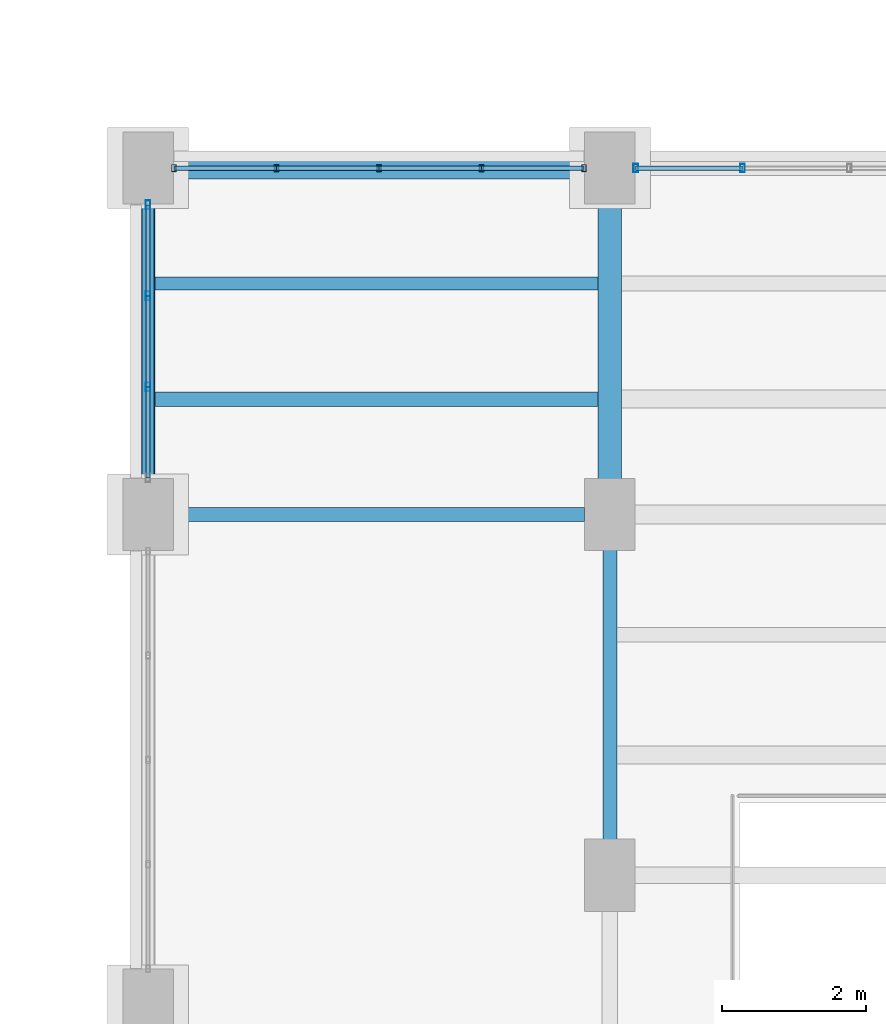
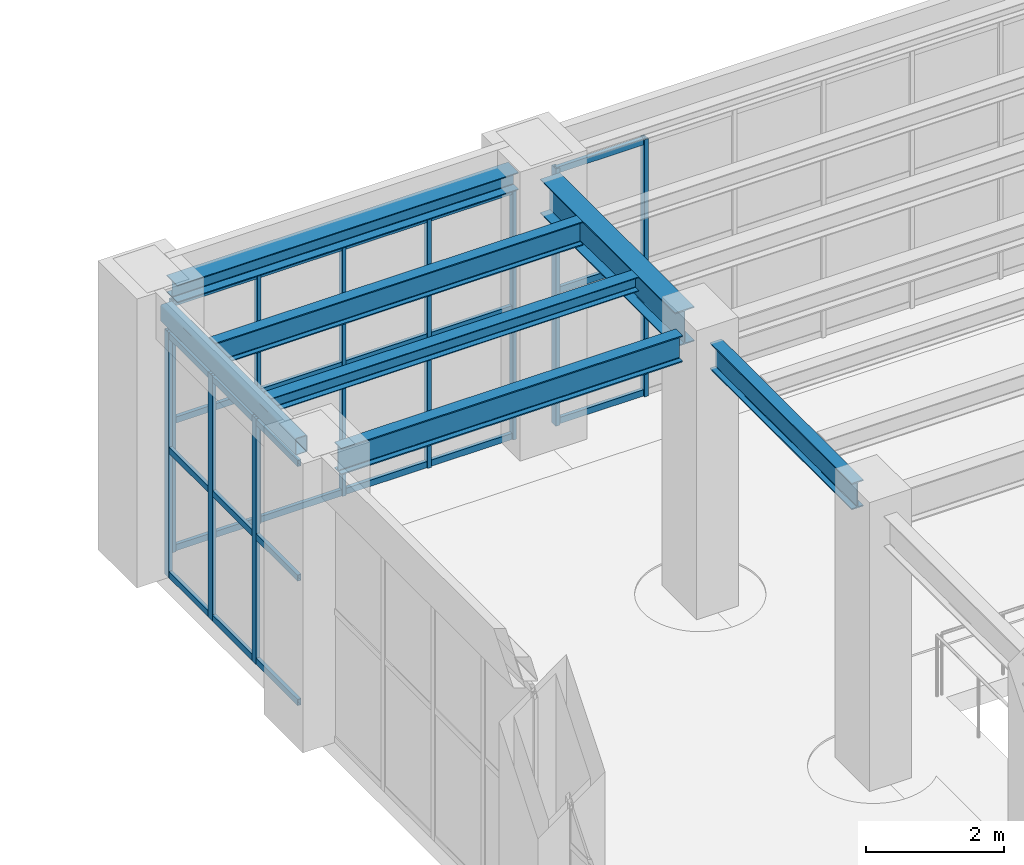
# One storey, part 87 of 174: 34 members, 7 beams, 3 elements without a shape of their own.
"""IFC4 building model written with IfcOpenShell, lengths in metres."""

from ifc_helpers import new_model, si_unit, direction, frame, origin, origin_2d, place, context, subcontext, project, spatial, hollow_rectangle, i_section, extrude, material, material_profile, profile_set, type_object, element, aggregate, save


model = new_model("IFC4")

# Units and contexts
model_context = context("Model", 3, precision=1e-05, world=origin(), true_north=direction((0.0, 1.0)))
body_context = subcontext(model_context, "Body", "Model", "MODEL_VIEW")
ifc_project = project(units=[si_unit("LENGTHUNIT", "METRE"), si_unit("AREAUNIT", "SQUARE_METRE"), si_unit("VOLUMEUNIT", "CUBIC_METRE"), si_unit("PLANEANGLEUNIT", "RADIAN"), si_unit("MASSUNIT", "GRAM", prefix="KILO")], contexts=[model_context])

# Site, building, storey
site_placement = place(None, origin())
site = spatial("IfcSite", under=ifc_project, at=site_placement, CompositionType="ELEMENT")
building_placement = place(site_placement, origin())
building = spatial("IfcBuilding", under=site, at=building_placement, Name="Mavantir Sound Aquarium", CompositionType="ELEMENT")
storey_placement = place(building_placement, frame((0.0, 0.0, 5.39990234375)))
storey = spatial("IfcBuildingStorey", under=building, at=storey_placement, Name="L01", CompositionType="ELEMENT", Elevation=5.39990234375)

# Beams
ifc_material_1 = material(Name="Hollow Structural Steel ASTM A500 GrC", Category="steel")
ifc_material_profile_1 = material_profile(ifc_material_1, hollow_rectangle(XDim=0.199951171875, YDim=0.300048828125, WallThickness=0.012451171875, InnerFilletRadius=0.012451171875, OuterFilletRadius=0.02490234375, at=origin_2d()), Name="RHS 300X200X12.5")
ifc_profile_set_1 = profile_set([ifc_material_profile_1], Name="Hollow Structural Steel ASTM A500 GrC")
beam_type_1 = type_object("IfcBeamType", Name="BM-RHS300-E", PredefinedType="SPANDREL", material=ifc_profile_set_1)
beam_1_placement = place(storey_placement, frame((101.60009765625, 91.25, 4.6259765625), z_axis=(0.0, 1.0, 0.0), x_axis=(-1.0, 0.0, 0.0)))
element("IfcBeam", 1, at=beam_1_placement, inside=storey, type_object=beam_type_1, Name="L01 primary girder SS-R30 1289", PredefinedType="SPANDREL", context=body_context, shape_type="SweptSolid", body=[
    extrude(hollow_rectangle(XDim=0.199951171875, YDim=0.300048828125, WallThickness=0.012451171875, InnerFilletRadius=0.012451171875, OuterFilletRadius=0.02490234375, at=origin_2d()), origin(), (0.0, 0.0, 1.0), 3.89990234375),
])
ifc_material_2 = material(Name="Structural Steel ASTM A992 Gr50", Category="steel")
ifc_material_profile_2 = material_profile(ifc_material_2, i_section(OverallWidth=0.202880859375, OverallDepth=0.251953125, WebThickness=0.008056640625, FlangeThickness=0.013427734375, FilletRadius=0.011962890625, at=origin_2d()), Name="W250X58")
ifc_profile_set_2 = profile_set([ifc_material_profile_2], Name="Structural Steel ASTM A992 Gr50")
beam_type_2 = type_object("IfcBeamType", Name="BM-W250X58-I", PredefinedType="JOIST", material=ifc_profile_set_2)
beam_2_placement = place(storey_placement, frame((101.699951171875, 92.39990234375, 4.650146484375), z_axis=(1.0, 0.0, 0.0), x_axis=(0.0, 1.0, 0.0)))
element("IfcBeam", 2, at=beam_2_placement, inside=storey, type_object=beam_type_2, Name="L01 secondary floor joist SJ-25 792", PredefinedType="JOIST", context=body_context, shape_type="SweptSolid", body=[
    extrude(i_section(OverallWidth=0.202880859375, OverallDepth=0.251953125, WebThickness=0.008056640625, FlangeThickness=0.013427734375, FilletRadius=0.011962890625, at=origin_2d()), origin(), (0.0, 0.0, 1.0), 6.137939453125),
])
ifc_material_profile_3 = material_profile(ifc_material_2, i_section(OverallWidth=0.304931640625, OverallDepth=0.30810546875, WebThickness=0.010009765625, FlangeThickness=0.015380859375, FilletRadius=0.014892578125, at=origin_2d()), Name="W310X97")
ifc_profile_set_3 = profile_set([ifc_material_profile_3], Name="Structural Steel ASTM A992 Gr50")
beam_type_3 = type_object("IfcBeamType", Name="BM-W310X97-E", PredefinedType="SPANDREL", material=ifc_profile_set_3)
beam_3_placement = place(storey_placement, frame((101.949951171875, 95.60009765625, 4.6220703125), z_axis=(1.0, 0.0, 0.0), x_axis=(0.0, 1.0, 0.0)))
element("IfcBeam", 3, at=beam_3_placement, inside=storey, type_object=beam_type_3, Name="L01 primary beam SS-31A 1281", PredefinedType="SPANDREL", context=body_context, shape_type="SweptSolid", body=[
    extrude(i_section(OverallWidth=0.304931640625, OverallDepth=0.30810546875, WebThickness=0.010009765625, FlangeThickness=0.015380859375, FilletRadius=0.014892578125, at=origin_2d()), origin(), (0.0, 0.0, 1.0), 5.699951171875),
])
ifc_material_profile_4 = material_profile(ifc_material_2, i_section(OverallWidth=0.180908203125, OverallDepth=0.4169921875, WebThickness=0.010986328125, FlangeThickness=0.018310546875, FilletRadius=0.014892578125, at=origin_2d()), Name="W410X85")
ifc_profile_set_4 = profile_set([ifc_material_profile_4], Name="Structural Steel ASTM A992 Gr50")
beam_type_4 = type_object("IfcBeamType", Name="BM-W410X85-I", PredefinedType="JOIST", material=ifc_profile_set_4)
beam_4_placement = place(storey_placement, frame((101.699951171875, 94.0, 4.567626953125), z_axis=(1.0, 0.0, 0.0), x_axis=(0.0, 1.0, 0.0)))
element("IfcBeam", 4, at=beam_4_placement, inside=storey, type_object=beam_type_4, Name="L01 secondary floor joist SJ-41 793", PredefinedType="JOIST", context=body_context, shape_type="SweptSolid", body=[
    extrude(i_section(OverallWidth=0.180908203125, OverallDepth=0.4169921875, WebThickness=0.010986328125, FlangeThickness=0.018310546875, FilletRadius=0.014892578125, at=origin_2d()), origin(), (0.0, 0.0, 1.0), 6.137939453125),
])
ifc_material_profile_5 = material_profile(ifc_material_2, i_section(OverallWidth=0.194091796875, OverallDepth=0.468994140625, WebThickness=0.0126953125, FlangeThickness=0.0205078125, FilletRadius=0.01611328125, at=origin_2d()), Name="W460X106")
ifc_profile_set_5 = profile_set([ifc_material_profile_5], Name="Structural Steel ASTM A992 Gr50")
beam_type_5 = type_object("IfcBeamType", Name="BM-W460X106-I", PredefinedType="BEAM", material=ifc_profile_set_5)
beam_5_placement = place(storey_placement, frame((101.949951171875, 90.800048828125, 4.54150390625), z_axis=(1.0, 0.0, 0.0), x_axis=(0.0, 1.0, 0.0)))
element("IfcBeam", 5, at=beam_5_placement, inside=storey, type_object=beam_type_5, Name="L01 primary beam SB-46 1279", PredefinedType="BEAM", context=body_context, shape_type="SweptSolid", body=[
    extrude(i_section(OverallWidth=0.194091796875, OverallDepth=0.468994140625, WebThickness=0.0126953125, FlangeThickness=0.0205078125, FilletRadius=0.01611328125, at=origin_2d()), origin(), (0.0, 0.0, 1.0), 5.699951171875),
])
beam_6_placement = place(storey_placement, frame((108.0, 86.25, 4.54150390625), z_axis=(0.0, 1.0, 0.0), x_axis=(-1.0, 0.0, 0.0)))
element("IfcBeam", 6, at=beam_6_placement, inside=storey, type_object=beam_type_5, Name="L01 primary girder SB-46 1299", PredefinedType="BEAM", context=body_context, shape_type="SweptSolid", body=[
    extrude(i_section(OverallWidth=0.194091796875, OverallDepth=0.468994140625, WebThickness=0.0126953125, FlangeThickness=0.0205078125, FilletRadius=0.01611328125, at=origin_2d()), origin(), (0.0, 0.0, 1.0), 4.10009765625),
])
ifc_material_profile_6 = material_profile(ifc_material_2, i_section(OverallWidth=0.323974609375, OverallDepth=0.611083984375, WebThickness=0.0126953125, FlangeThickness=0.01904296875, FilletRadius=0.01904296875, at=origin_2d()), Name="W610X155")
ifc_profile_set_6 = profile_set([ifc_material_profile_6], Name="Structural Steel ASTM A992 Gr50")
beam_type_6 = type_object("IfcBeamType", Name="BM-W610X155-I", PredefinedType="BEAM", material=ifc_profile_set_6)
beam_7_placement = place(storey_placement, frame((108.0, 91.25, 4.470703125), z_axis=(0.0, 1.0, 0.0), x_axis=(-1.0, 0.0, 0.0)))
element("IfcBeam", 7, at=beam_7_placement, inside=storey, type_object=beam_type_6, Name="L01 primary girder SB-61A 1300", PredefinedType="BEAM", context=body_context, shape_type="SweptSolid", body=[
    extrude(i_section(OverallWidth=0.323974609375, OverallDepth=0.611083984375, WebThickness=0.0126953125, FlangeThickness=0.01904296875, FilletRadius=0.01904296875, at=origin_2d()), origin(), (0.0, 0.0, 1.0), 3.89990234375),
])

# Curtain wall, members
ifc_material_3 = material(Name="Anodised Marine Aluminium and Low-E Glass", Category="aluminium")
curtain_wall_type_1 = type_object("IfcCurtainWallType", Name="CW-T17", PredefinedType="USERDEFINED", material=ifc_material_3)
curtain_wall_1_placement = place(storey_placement, origin())
curtain_wall_1 = element("IfcCurtainWall", 8, at=curtain_wall_1_placement, inside=storey, type_object=curtain_wall_type_1, Name="L01 unitised curtain wall CW-17 89", ObjectType="UNITISED GLAZING", PredefinedType="USERDEFINED")
ifc_material_4 = material(Name="Anodised Marine Aluminium 6063-T6", Category="aluminium")
ifc_material_profile_7 = material_profile(ifc_material_4, hollow_rectangle(XDim=0.06005859375, YDim=0.10009765625, WallThickness=0.00390625, at=origin_2d()), Name="ALU-MULLION-100X60")
ifc_profile_set_7 = profile_set([ifc_material_profile_7], Name="Anodised Marine Aluminium 6063-T6")
member_type_1 = type_object("IfcMemberType", Name="CW-MUL-100", PredefinedType="MULLION", material=ifc_profile_set_7)
member_1_placement = place(storey_placement, frame((107.64208984375, 95.60009765625, 0.0), z_axis=(0.0, 0.0, 1.0), x_axis=(1.0, 0.0, 0.0)))
member_1 = element("IfcMember", 9, at=member_1_placement, type_object=member_type_1, Name="CW-L01-089 vertical mullion 1", PredefinedType="MULLION", context=body_context, shape_type="SweptSolid", body=[
    extrude(hollow_rectangle(XDim=0.06005859375, YDim=0.10009765625, WallThickness=0.00390625, at=origin_2d()), origin(), (0.0, 0.0, 1.0), 4.43798828125),
])
member_2_placement = place(storey_placement, frame((106.220947265625, 95.60009765625, 0.0), z_axis=(0.0, 0.0, 1.0), x_axis=(1.0, 0.0, 0.0)))
member_2 = element("IfcMember", 10, at=member_2_placement, type_object=member_type_1, Name="CW-L01-089 vertical mullion 2", PredefinedType="MULLION", context=body_context, shape_type="SweptSolid", body=[
    extrude(hollow_rectangle(XDim=0.06005859375, YDim=0.10009765625, WallThickness=0.00390625, at=origin_2d()), origin(), (0.0, 0.0, 1.0), 4.43798828125),
])
member_3_placement = place(storey_placement, frame((104.800048828125, 95.60009765625, 0.0), z_axis=(0.0, 0.0, 1.0), x_axis=(1.0, 0.0, 0.0)))
member_3 = element("IfcMember", 11, at=member_3_placement, type_object=member_type_1, Name="CW-L01-089 vertical mullion 3", PredefinedType="MULLION", context=body_context, shape_type="SweptSolid", body=[
    extrude(hollow_rectangle(XDim=0.06005859375, YDim=0.10009765625, WallThickness=0.00390625, at=origin_2d()), origin(), (0.0, 0.0, 1.0), 4.43798828125),
])
member_4_placement = place(storey_placement, frame((103.37890625, 95.60009765625, 0.0), z_axis=(0.0, 0.0, 1.0), x_axis=(1.0, 0.0, 0.0)))
member_4 = element("IfcMember", 12, at=member_4_placement, type_object=member_type_1, Name="CW-L01-089 vertical mullion 4", PredefinedType="MULLION", context=body_context, shape_type="SweptSolid", body=[
    extrude(hollow_rectangle(XDim=0.06005859375, YDim=0.10009765625, WallThickness=0.00390625, at=origin_2d()), origin(), (0.0, 0.0, 1.0), 4.43798828125),
])
member_5_placement = place(storey_placement, frame((101.9580078125, 95.60009765625, 0.0), z_axis=(0.0, 0.0, 1.0), x_axis=(1.0, 0.0, 0.0)))
member_5 = element("IfcMember", 13, at=member_5_placement, type_object=member_type_1, Name="CW-L01-089 vertical mullion 5", PredefinedType="MULLION", context=body_context, shape_type="SweptSolid", body=[
    extrude(hollow_rectangle(XDim=0.06005859375, YDim=0.10009765625, WallThickness=0.00390625, at=origin_2d()), origin(), (0.0, 0.0, 1.0), 4.43798828125),
])

curtain_wall_type_2 = type_object("IfcCurtainWallType", Name="CW-T16", PredefinedType="USERDEFINED", material=ifc_material_3)
curtain_wall_2_placement = place(storey_placement, origin())
curtain_wall_2 = element("IfcCurtainWall", 14, at=curtain_wall_2_placement, inside=storey, type_object=curtain_wall_type_2, Name="L01 unitised curtain wall CW-16 88", ObjectType="UNITISED GLAZING", PredefinedType="USERDEFINED")
ifc_material_profile_8 = material_profile(ifc_material_4, hollow_rectangle(XDim=0.06494140625, YDim=0.1201171875, WallThickness=0.00390625, at=origin_2d()), Name="ALU-MULLION-120X65")
ifc_profile_set_8 = profile_set([ifc_material_profile_8], Name="Anodised Marine Aluminium 6063-T6")
member_type_2 = type_object("IfcMemberType", Name="CW-MUL-120", PredefinedType="MULLION", material=ifc_profile_set_8)
member_6_placement = place(storey_placement, frame((109.838623046875, 95.60009765625, 0.0), z_axis=(0.0, 0.0, 1.0), x_axis=(1.0, 0.0, 0.0)))
member_6 = element("IfcMember", 15, at=member_6_placement, type_object=member_type_2, Name="CW-L01-088 vertical mullion 6", PredefinedType="MULLION", context=body_context, shape_type="SweptSolid", body=[
    extrude(hollow_rectangle(XDim=0.06494140625, YDim=0.1201171875, WallThickness=0.00390625, at=origin_2d()), origin(), (0.0, 0.0, 1.0), 4.543212890625),
])
member_7_placement = place(storey_placement, frame((108.35791015625, 95.60009765625, 0.0), z_axis=(0.0, 0.0, 1.0), x_axis=(1.0, 0.0, 0.0)))
member_7 = element("IfcMember", 16, at=member_7_placement, type_object=member_type_2, Name="CW-L01-088 vertical mullion 7", PredefinedType="MULLION", context=body_context, shape_type="SweptSolid", body=[
    extrude(hollow_rectangle(XDim=0.06494140625, YDim=0.1201171875, WallThickness=0.00390625, at=origin_2d()), origin(), (0.0, 0.0, 1.0), 4.543212890625),
])

curtain_wall_type_3 = type_object("IfcCurtainWallType", Name="CW-T18", PredefinedType="USERDEFINED", material=ifc_material_3)
curtain_wall_3_placement = place(storey_placement, origin())
curtain_wall_3 = element("IfcCurtainWall", 17, at=curtain_wall_3_placement, inside=storey, type_object=curtain_wall_type_3, Name="L01 unitised curtain wall CW-18 90", ObjectType="UNITISED GLAZING", PredefinedType="USERDEFINED")
member_8_placement = place(storey_placement, frame((101.60009765625, 95.092041015625, 0.0), z_axis=(0.0, 0.0, 1.0), x_axis=(1.0, 0.0, 0.0)))
member_8 = element("IfcMember", 18, at=member_8_placement, type_object=member_type_2, Name="CW-L01-090 vertical mullion 1", PredefinedType="MULLION", context=body_context, shape_type="SweptSolid", body=[
    extrude(hollow_rectangle(XDim=0.06494140625, YDim=0.1201171875, WallThickness=0.00390625, at=origin_2d()), origin(), (0.0, 0.0, 1.0), 4.3291015625),
])
member_9_placement = place(storey_placement, frame((101.60009765625, 93.830810546875, 0.0), z_axis=(0.0, 0.0, 1.0), x_axis=(1.0, 0.0, 0.0)))
member_9 = element("IfcMember", 19, at=member_9_placement, type_object=member_type_2, Name="CW-L01-090 vertical mullion 2", PredefinedType="MULLION", context=body_context, shape_type="SweptSolid", body=[
    extrude(hollow_rectangle(XDim=0.06494140625, YDim=0.1201171875, WallThickness=0.00390625, at=origin_2d()), origin(), (0.0, 0.0, 1.0), 4.3291015625),
])
member_10_placement = place(storey_placement, frame((101.60009765625, 92.5693359375, 0.0), z_axis=(0.0, 0.0, 1.0), x_axis=(1.0, 0.0, 0.0)))
member_10 = element("IfcMember", 20, at=member_10_placement, type_object=member_type_2, Name="CW-L01-090 vertical mullion 3", PredefinedType="MULLION", context=body_context, shape_type="SweptSolid", body=[
    extrude(hollow_rectangle(XDim=0.06494140625, YDim=0.1201171875, WallThickness=0.00390625, at=origin_2d()), origin(), (0.0, 0.0, 1.0), 4.3291015625),
])

# Member
ifc_material_profile_9 = material_profile(ifc_material_4, hollow_rectangle(XDim=0.06005859375, YDim=0.110107421875, WallThickness=0.00390625, at=origin_2d()), Name="ALU-TRANSOM-110X60")
ifc_profile_set_9 = profile_set([ifc_material_profile_9], Name="Anodised Marine Aluminium 6063-T6")
member_type_3 = type_object("IfcMemberType", Name="CW-TRN-110", PredefinedType="USERDEFINED", material=ifc_profile_set_9)
member_11_placement = place(storey_placement, frame((109.838623046875, 95.60009765625, 0.05517578125), z_axis=(-1.0, 0.0, 0.0), x_axis=(0.0, -1.0, 0.0)))
member_11 = element("IfcMember", 21, at=member_11_placement, type_object=member_type_3, Name="CW-L01-088 transom 6.1", ObjectType="TRANSOM", PredefinedType="USERDEFINED", context=body_context, shape_type="SweptSolid", body=[
    extrude(hollow_rectangle(XDim=0.06005859375, YDim=0.110107421875, WallThickness=0.00390625, at=origin_2d()), origin(), (0.0, 0.0, 1.0), 1.480712890625),
])

member_12_placement = place(storey_placement, frame((109.838623046875, 95.60009765625, 2.362548828125), z_axis=(-1.0, 0.0, 0.0), x_axis=(0.0, -1.0, 0.0)))
member_12 = element("IfcMember", 22, at=member_12_placement, type_object=member_type_3, Name="CW-L01-088 transom 6.2", ObjectType="TRANSOM", PredefinedType="USERDEFINED", context=body_context, shape_type="SweptSolid", body=[
    extrude(hollow_rectangle(XDim=0.06005859375, YDim=0.110107421875, WallThickness=0.00390625, at=origin_2d()), origin(), (0.0, 0.0, 1.0), 1.480712890625),
])

member_13_placement = place(storey_placement, frame((109.838623046875, 95.60009765625, 4.488037109375), z_axis=(-1.0, 0.0, 0.0), x_axis=(0.0, -1.0, 0.0)))
member_13 = element("IfcMember", 23, at=member_13_placement, type_object=member_type_3, Name="CW-L01-088 transom 6.3", ObjectType="TRANSOM", PredefinedType="USERDEFINED", context=body_context, shape_type="SweptSolid", body=[
    extrude(hollow_rectangle(XDim=0.06005859375, YDim=0.110107421875, WallThickness=0.00390625, at=origin_2d()), origin(), (0.0, 0.0, 1.0), 1.480712890625),
])

aggregate(curtain_wall_2, [member_6, member_7, member_11, member_12, member_13])

member_14_placement = place(storey_placement, frame((107.64208984375, 95.60009765625, 0.05517578125), z_axis=(-1.0, 0.0, 0.0), x_axis=(0.0, -1.0, 0.0)))
member_14 = element("IfcMember", 24, at=member_14_placement, type_object=member_type_3, Name="CW-L01-089 transom 1.1", ObjectType="TRANSOM", PredefinedType="USERDEFINED", context=body_context, shape_type="SweptSolid", body=[
    extrude(hollow_rectangle(XDim=0.06005859375, YDim=0.110107421875, WallThickness=0.00390625, at=origin_2d()), origin(), (0.0, 0.0, 1.0), 1.421142578125),
])

member_15_placement = place(storey_placement, frame((107.64208984375, 95.60009765625, 2.307861328125), z_axis=(-1.0, 0.0, 0.0), x_axis=(0.0, -1.0, 0.0)))
member_15 = element("IfcMember", 25, at=member_15_placement, type_object=member_type_3, Name="CW-L01-089 transom 1.2", ObjectType="TRANSOM", PredefinedType="USERDEFINED", context=body_context, shape_type="SweptSolid", body=[
    extrude(hollow_rectangle(XDim=0.06005859375, YDim=0.110107421875, WallThickness=0.00390625, at=origin_2d()), origin(), (0.0, 0.0, 1.0), 1.421142578125),
])

member_16_placement = place(storey_placement, frame((107.64208984375, 95.60009765625, 4.383056640625), z_axis=(-1.0, 0.0, 0.0), x_axis=(0.0, -1.0, 0.0)))
member_16 = element("IfcMember", 26, at=member_16_placement, type_object=member_type_3, Name="CW-L01-089 transom 1.3", ObjectType="TRANSOM", PredefinedType="USERDEFINED", context=body_context, shape_type="SweptSolid", body=[
    extrude(hollow_rectangle(XDim=0.06005859375, YDim=0.110107421875, WallThickness=0.00390625, at=origin_2d()), origin(), (0.0, 0.0, 1.0), 1.421142578125),
])

member_17_placement = place(storey_placement, frame((106.220947265625, 95.60009765625, 0.05517578125), z_axis=(-1.0, 0.0, 0.0), x_axis=(0.0, -1.0, 0.0)))
member_17 = element("IfcMember", 27, at=member_17_placement, type_object=member_type_3, Name="CW-L01-089 transom 2.1", ObjectType="TRANSOM", PredefinedType="USERDEFINED", context=body_context, shape_type="SweptSolid", body=[
    extrude(hollow_rectangle(XDim=0.06005859375, YDim=0.110107421875, WallThickness=0.00390625, at=origin_2d()), origin(), (0.0, 0.0, 1.0), 1.4208984375),
])

member_18_placement = place(storey_placement, frame((106.220947265625, 95.60009765625, 2.307861328125), z_axis=(-1.0, 0.0, 0.0), x_axis=(0.0, -1.0, 0.0)))
member_18 = element("IfcMember", 28, at=member_18_placement, type_object=member_type_3, Name="CW-L01-089 transom 2.2", ObjectType="TRANSOM", PredefinedType="USERDEFINED", context=body_context, shape_type="SweptSolid", body=[
    extrude(hollow_rectangle(XDim=0.06005859375, YDim=0.110107421875, WallThickness=0.00390625, at=origin_2d()), origin(), (0.0, 0.0, 1.0), 1.4208984375),
])

member_19_placement = place(storey_placement, frame((106.220947265625, 95.60009765625, 4.383056640625), z_axis=(-1.0, 0.0, 0.0), x_axis=(0.0, -1.0, 0.0)))
member_19 = element("IfcMember", 29, at=member_19_placement, type_object=member_type_3, Name="CW-L01-089 transom 2.3", ObjectType="TRANSOM", PredefinedType="USERDEFINED", context=body_context, shape_type="SweptSolid", body=[
    extrude(hollow_rectangle(XDim=0.06005859375, YDim=0.110107421875, WallThickness=0.00390625, at=origin_2d()), origin(), (0.0, 0.0, 1.0), 1.4208984375),
])

member_20_placement = place(storey_placement, frame((104.800048828125, 95.60009765625, 0.05517578125), z_axis=(-1.0, 0.0, 0.0), x_axis=(0.0, -1.0, 0.0)))
member_20 = element("IfcMember", 30, at=member_20_placement, type_object=member_type_3, Name="CW-L01-089 transom 3.1", ObjectType="TRANSOM", PredefinedType="USERDEFINED", context=body_context, shape_type="SweptSolid", body=[
    extrude(hollow_rectangle(XDim=0.06005859375, YDim=0.110107421875, WallThickness=0.00390625, at=origin_2d()), origin(), (0.0, 0.0, 1.0), 1.421142578125),
])

member_21_placement = place(storey_placement, frame((104.800048828125, 95.60009765625, 2.307861328125), z_axis=(-1.0, 0.0, 0.0), x_axis=(0.0, -1.0, 0.0)))
member_21 = element("IfcMember", 31, at=member_21_placement, type_object=member_type_3, Name="CW-L01-089 transom 3.2", ObjectType="TRANSOM", PredefinedType="USERDEFINED", context=body_context, shape_type="SweptSolid", body=[
    extrude(hollow_rectangle(XDim=0.06005859375, YDim=0.110107421875, WallThickness=0.00390625, at=origin_2d()), origin(), (0.0, 0.0, 1.0), 1.421142578125),
])

member_22_placement = place(storey_placement, frame((104.800048828125, 95.60009765625, 4.383056640625), z_axis=(-1.0, 0.0, 0.0), x_axis=(0.0, -1.0, 0.0)))
member_22 = element("IfcMember", 32, at=member_22_placement, type_object=member_type_3, Name="CW-L01-089 transom 3.3", ObjectType="TRANSOM", PredefinedType="USERDEFINED", context=body_context, shape_type="SweptSolid", body=[
    extrude(hollow_rectangle(XDim=0.06005859375, YDim=0.110107421875, WallThickness=0.00390625, at=origin_2d()), origin(), (0.0, 0.0, 1.0), 1.421142578125),
])

member_23_placement = place(storey_placement, frame((103.37890625, 95.60009765625, 0.05517578125), z_axis=(-1.0, 0.0, 0.0), x_axis=(0.0, -1.0, 0.0)))
member_23 = element("IfcMember", 33, at=member_23_placement, type_object=member_type_3, Name="CW-L01-089 transom 4.1", ObjectType="TRANSOM", PredefinedType="USERDEFINED", context=body_context, shape_type="SweptSolid", body=[
    extrude(hollow_rectangle(XDim=0.06005859375, YDim=0.110107421875, WallThickness=0.00390625, at=origin_2d()), origin(), (0.0, 0.0, 1.0), 1.4208984375),
])

member_24_placement = place(storey_placement, frame((103.37890625, 95.60009765625, 2.307861328125), z_axis=(-1.0, 0.0, 0.0), x_axis=(0.0, -1.0, 0.0)))
member_24 = element("IfcMember", 34, at=member_24_placement, type_object=member_type_3, Name="CW-L01-089 transom 4.2", ObjectType="TRANSOM", PredefinedType="USERDEFINED", context=body_context, shape_type="SweptSolid", body=[
    extrude(hollow_rectangle(XDim=0.06005859375, YDim=0.110107421875, WallThickness=0.00390625, at=origin_2d()), origin(), (0.0, 0.0, 1.0), 1.4208984375),
])

member_25_placement = place(storey_placement, frame((103.37890625, 95.60009765625, 4.383056640625), z_axis=(-1.0, 0.0, 0.0), x_axis=(0.0, -1.0, 0.0)))
member_25 = element("IfcMember", 35, at=member_25_placement, type_object=member_type_3, Name="CW-L01-089 transom 4.3", ObjectType="TRANSOM", PredefinedType="USERDEFINED", context=body_context, shape_type="SweptSolid", body=[
    extrude(hollow_rectangle(XDim=0.06005859375, YDim=0.110107421875, WallThickness=0.00390625, at=origin_2d()), origin(), (0.0, 0.0, 1.0), 1.4208984375),
])

aggregate(curtain_wall_1, [member_1, member_2, member_3, member_4, member_5, member_14, member_15, member_16, member_17, member_18, member_19, member_20, member_21, member_22, member_23, member_24, member_25])

member_26_placement = place(storey_placement, frame((101.60009765625, 95.092041015625, 0.05517578125), z_axis=(0.0, -1.0, 0.0), x_axis=(1.0, 0.0, 0.0)))
member_26 = element("IfcMember", 36, at=member_26_placement, type_object=member_type_3, Name="CW-L01-090 transom 1.1", ObjectType="TRANSOM", PredefinedType="USERDEFINED", context=body_context, shape_type="SweptSolid", body=[
    extrude(hollow_rectangle(XDim=0.06005859375, YDim=0.110107421875, WallThickness=0.00390625, at=origin_2d()), origin(), (0.0, 0.0, 1.0), 1.26123046875),
])

member_27_placement = place(storey_placement, frame((101.60009765625, 95.092041015625, 2.251220703125), z_axis=(0.0, -1.0, 0.0), x_axis=(1.0, 0.0, 0.0)))
member_27 = element("IfcMember", 37, at=member_27_placement, type_object=member_type_3, Name="CW-L01-090 transom 1.2", ObjectType="TRANSOM", PredefinedType="USERDEFINED", context=body_context, shape_type="SweptSolid", body=[
    extrude(hollow_rectangle(XDim=0.06005859375, YDim=0.110107421875, WallThickness=0.00390625, at=origin_2d()), origin(), (0.0, 0.0, 1.0), 1.26123046875),
])

member_28_placement = place(storey_placement, frame((101.60009765625, 95.092041015625, 4.274169921875), z_axis=(0.0, -1.0, 0.0), x_axis=(1.0, 0.0, 0.0)))
member_28 = element("IfcMember", 38, at=member_28_placement, type_object=member_type_3, Name="CW-L01-090 transom 1.3", ObjectType="TRANSOM", PredefinedType="USERDEFINED", context=body_context, shape_type="SweptSolid", body=[
    extrude(hollow_rectangle(XDim=0.06005859375, YDim=0.110107421875, WallThickness=0.00390625, at=origin_2d()), origin(), (0.0, 0.0, 1.0), 1.26123046875),
])

member_29_placement = place(storey_placement, frame((101.60009765625, 93.830810546875, 0.05517578125), z_axis=(0.0, -1.0, 0.0), x_axis=(1.0, 0.0, 0.0)))
member_29 = element("IfcMember", 39, at=member_29_placement, type_object=member_type_3, Name="CW-L01-090 transom 2.1", ObjectType="TRANSOM", PredefinedType="USERDEFINED", context=body_context, shape_type="SweptSolid", body=[
    extrude(hollow_rectangle(XDim=0.06005859375, YDim=0.110107421875, WallThickness=0.00390625, at=origin_2d()), origin(), (0.0, 0.0, 1.0), 1.261474609375),
])

member_30_placement = place(storey_placement, frame((101.60009765625, 93.830810546875, 2.251220703125), z_axis=(0.0, -1.0, 0.0), x_axis=(1.0, 0.0, 0.0)))
member_30 = element("IfcMember", 40, at=member_30_placement, type_object=member_type_3, Name="CW-L01-090 transom 2.2", ObjectType="TRANSOM", PredefinedType="USERDEFINED", context=body_context, shape_type="SweptSolid", body=[
    extrude(hollow_rectangle(XDim=0.06005859375, YDim=0.110107421875, WallThickness=0.00390625, at=origin_2d()), origin(), (0.0, 0.0, 1.0), 1.261474609375),
])

member_31_placement = place(storey_placement, frame((101.60009765625, 93.830810546875, 4.274169921875), z_axis=(0.0, -1.0, 0.0), x_axis=(1.0, 0.0, 0.0)))
member_31 = element("IfcMember", 41, at=member_31_placement, type_object=member_type_3, Name="CW-L01-090 transom 2.3", ObjectType="TRANSOM", PredefinedType="USERDEFINED", context=body_context, shape_type="SweptSolid", body=[
    extrude(hollow_rectangle(XDim=0.06005859375, YDim=0.110107421875, WallThickness=0.00390625, at=origin_2d()), origin(), (0.0, 0.0, 1.0), 1.261474609375),
])

member_32_placement = place(storey_placement, frame((101.60009765625, 92.5693359375, 0.05517578125), z_axis=(0.0, -1.0, 0.0), x_axis=(1.0, 0.0, 0.0)))
member_32 = element("IfcMember", 42, at=member_32_placement, type_object=member_type_3, Name="CW-L01-090 transom 3.1", ObjectType="TRANSOM", PredefinedType="USERDEFINED", context=body_context, shape_type="SweptSolid", body=[
    extrude(hollow_rectangle(XDim=0.06005859375, YDim=0.110107421875, WallThickness=0.00390625, at=origin_2d()), origin(), (0.0, 0.0, 1.0), 1.26123046875),
])

member_33_placement = place(storey_placement, frame((101.60009765625, 92.5693359375, 2.251220703125), z_axis=(0.0, -1.0, 0.0), x_axis=(1.0, 0.0, 0.0)))
member_33 = element("IfcMember", 43, at=member_33_placement, type_object=member_type_3, Name="CW-L01-090 transom 3.2", ObjectType="TRANSOM", PredefinedType="USERDEFINED", context=body_context, shape_type="SweptSolid", body=[
    extrude(hollow_rectangle(XDim=0.06005859375, YDim=0.110107421875, WallThickness=0.00390625, at=origin_2d()), origin(), (0.0, 0.0, 1.0), 1.26123046875),
])

member_34_placement = place(storey_placement, frame((101.60009765625, 92.5693359375, 4.274169921875), z_axis=(0.0, -1.0, 0.0), x_axis=(1.0, 0.0, 0.0)))
member_34 = element("IfcMember", 44, at=member_34_placement, type_object=member_type_3, Name="CW-L01-090 transom 3.3", ObjectType="TRANSOM", PredefinedType="USERDEFINED", context=body_context, shape_type="SweptSolid", body=[
    extrude(hollow_rectangle(XDim=0.06005859375, YDim=0.110107421875, WallThickness=0.00390625, at=origin_2d()), origin(), (0.0, 0.0, 1.0), 1.26123046875),
])

aggregate(curtain_wall_3, [member_8, member_9, member_10, member_26, member_27, member_28, member_29, member_30, member_31, member_32, member_33, member_34])

save(model, "model.ifc")
